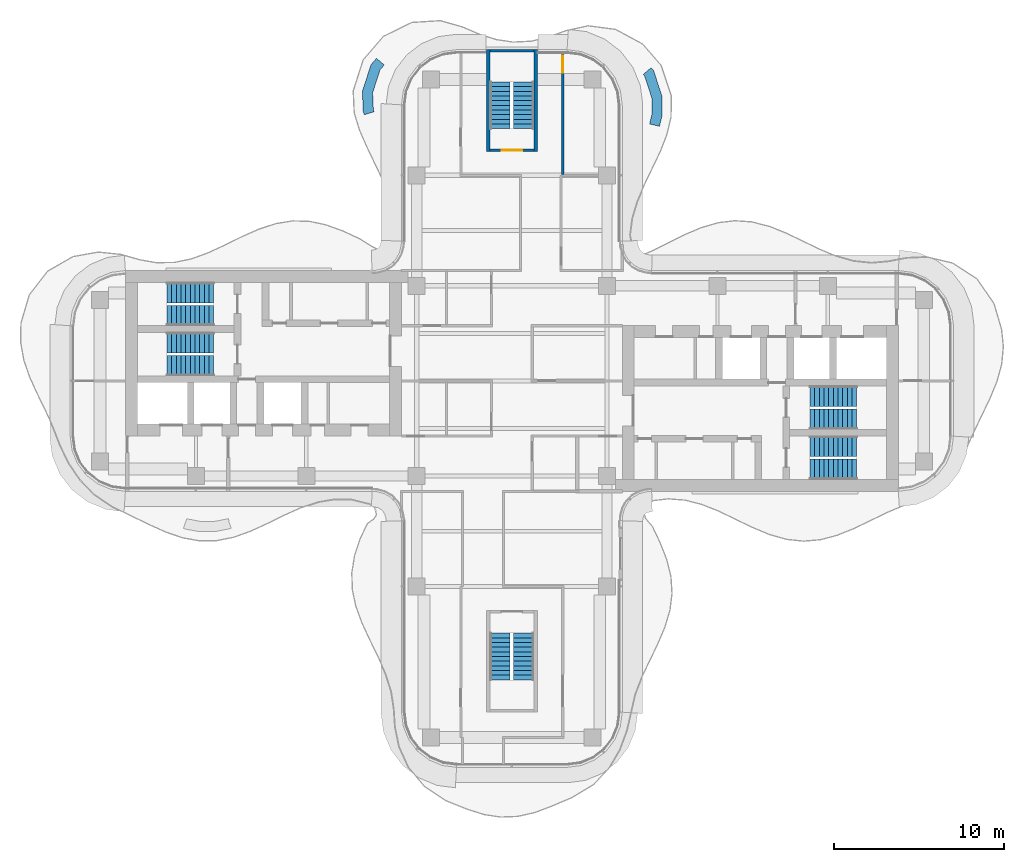
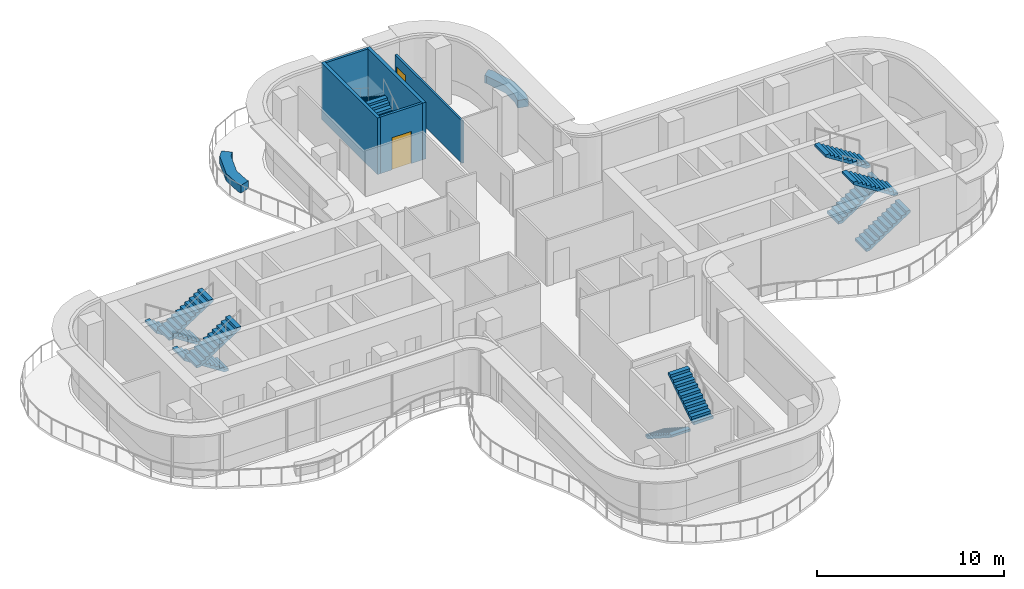
# One storey, part 14 of 16: 12 stair flights, 7 walls, 2 doors, 2 openings, 6 elements without a shape of their own.
"""IFC4 building model written with IfcOpenShell, lengths in metres."""

import ifcopenshell
import ifcopenshell.guid

model = None  # the IFC model being written
_history = None  # IfcOwnerHistory: only IFC2X3 demands one
_inside = {}  # id of a spatial element -> (the spatial element, [elements in it])
_under = {}  # id of a project, library or spatial element -> (it, [spatial elements below it])
_declared = {}  # id of a project -> (the project, [libraries it declares])
_typed = {}  # id of a type object -> (the type object, [elements of that type])
_made_of = {}  # id of a material, layer set ... -> (it, [elements and type objects made of it])


def new_model(schema):
    """Start an empty IFC model of exactly this schema.

    Asked for "IFC4X3", IfcOpenShell would pick the latest addendum, in which some entities
    have other attributes; the version numbers below select the first issue.
    IFC2X3 requires an IfcOwnerHistory on every rooted entity: one is made here for all.
    """
    global model, _history
    if schema == "IFC4X3":
        model = ifcopenshell.file(schema_version=(4, 3, 0, 0))
    else:
        model = ifcopenshell.file(schema=schema)
    _inside.clear()
    _under.clear()
    _declared.clear()
    _typed.clear()
    _made_of.clear()
    _history = None
    if model.schema == "IFC2X3":
        org = make("IfcOrganization", Name="unknown")
        user = make(
            "IfcPersonAndOrganization",
            ThePerson=make("IfcPerson", FamilyName="unknown"),
            TheOrganization=org,
        )
        app = make(
            "IfcApplication",
            ApplicationDeveloper=org,
            Version="unknown",
            ApplicationFullName="unknown",
            ApplicationIdentifier="unknown",
        )
        _history = make(
            "IfcOwnerHistory",
            OwningUser=user,
            OwningApplication=app,
            ChangeAction="ADDED",
            CreationDate=0,
        )
    return model


def make(cls, **values):
    """One entity of the class cls with the attributes given. An attribute that is None is left unset."""
    return model.create_entity(
        cls, **{name: value for name, value in values.items() if value is not None}
    )


def rooted(cls, **values):
    """An entity with a GlobalId (a new one), such as an element, a storey or a relation."""
    return make(cls, GlobalId=ifcopenshell.guid.new(), OwnerHistory=_history, **values)


def si_unit(unit_type, name, prefix=None):
    """IfcSIUnit, for example si_unit("LENGTHUNIT", "METRE", prefix="MILLI")."""
    return make("IfcSIUnit", UnitType=unit_type, Prefix=prefix, Name=name)


def assignment(units):
    """IfcUnitAssignment: the units of a project."""
    return None if units is None else make("IfcUnitAssignment", Units=units)


def point(xyz):
    """IfcCartesianPoint."""
    return None if xyz is None else make("IfcCartesianPoint", Coordinates=xyz)


def direction(xyz):
    """IfcDirection."""
    return None if xyz is None else make("IfcDirection", DirectionRatios=xyz)


def frame(location, z_axis=None, x_axis=None):
    """IfcAxis2Placement3D, a coordinate frame: its origin and axes. An axis left out is left unset."""
    return make(
        "IfcAxis2Placement3D",
        Location=point(location),
        Axis=direction(z_axis),
        RefDirection=direction(x_axis),
    )


def frame_2d(location, x_axis=None):
    """IfcAxis2Placement2D, a coordinate frame in the plane: its origin and x axis."""
    return make(
        "IfcAxis2Placement2D", Location=point(location), RefDirection=direction(x_axis)
    )


def origin():
    """The frame at (0, 0, 0) with its axes left unset."""
    return frame((0.0, 0.0, 0.0))


def place(relative_to, where):
    """IfcLocalPlacement: puts the frame where relative to a parent placement (None: the world)."""
    return make(
        "IfcLocalPlacement", PlacementRelTo=relative_to, RelativePlacement=where
    )


def context(
    kind, dimensions, precision=None, world=None, true_north=None, identifier=None
):
    """IfcGeometricRepresentationContext, for example the 3D "Model" context."""
    return make(
        "IfcGeometricRepresentationContext",
        ContextIdentifier=identifier,
        ContextType=kind,
        CoordinateSpaceDimension=dimensions,
        Precision=precision,
        WorldCoordinateSystem=world,
        TrueNorth=true_north,
    )


def subcontext(parent, identifier, kind, view, scale=None):
    """IfcGeometricRepresentationSubContext, for example "Body" below "Model"."""
    return make(
        "IfcGeometricRepresentationSubContext",
        ContextIdentifier=identifier,
        ContextType=kind,
        ParentContext=parent,
        TargetScale=scale,
        TargetView=view,
    )


def project(units=None, contexts=None):
    """IfcProject with its units and contexts."""
    return rooted(
        "IfcProject",
        Name="project",
        RepresentationContexts=contexts,
        UnitsInContext=assignment(units),
    )


def spatial(cls, under=None, at=None, **own):
    """A site, building, storey or space (cls), placed at a placement, below another one or the project."""
    s = rooted(cls, ObjectPlacement=at, **own)
    if under is not None:
        _under.setdefault(under.id(), (under, []))[1].append(s)
    return s


def polyline(points):
    """IfcPolyline through the points."""
    return make("IfcPolyline", Points=[point(p) for p in points])


def profile(cls, at=None, kind="AREA", **sizes):
    """A parametric profile (cls). Its sizes go by their IFC names, for example OverallWidth=200.0."""
    return make(cls, ProfileType=kind, Position=at, **sizes)


def rectangle(**sizes):
    """IfcRectangleProfileDef."""
    return profile("IfcRectangleProfileDef", **sizes)


def outline(outer, holes=None, kind="AREA"):
    """IfcArbitraryClosedProfileDef: a profile drawn as a closed curve; with holes, ...WithVoids."""
    if holes is None:
        return make("IfcArbitraryClosedProfileDef", ProfileType=kind, OuterCurve=outer)
    return make(
        "IfcArbitraryProfileDefWithVoids",
        ProfileType=kind,
        OuterCurve=outer,
        InnerCurves=holes,
    )


def extrude(swept, where, along, depth):
    """IfcExtrudedAreaSolid: the profile swept, set in the frame where, extruded along a direction by depth."""
    return make(
        "IfcExtrudedAreaSolid",
        SweptArea=swept,
        Position=where,
        ExtrudedDirection=direction(along),
        Depth=depth,
    )


def shape(context_of_items, identifier, shape_type, items):
    """IfcShapeRepresentation: the items that make up one representation, for example the "Body"."""
    return make(
        "IfcShapeRepresentation",
        ContextOfItems=context_of_items,
        RepresentationIdentifier=identifier,
        RepresentationType=shape_type,
        Items=items,
    )


def source(mapping_origin, context_of_items, identifier, shape_type, items):
    """IfcRepresentationMap: a shape defined once, which mapped items show again and again."""
    return make(
        "IfcRepresentationMap",
        MappingOrigin=mapping_origin,
        MappedRepresentation=shape(context_of_items, identifier, shape_type, items),
    )


def transform(
    local_origin,
    x_axis=None,
    y_axis=None,
    z_axis=None,
    scale=None,
    scale2=None,
    scale3=None,
    uniform=True,
):
    """IfcCartesianTransformationOperator3D, or its non-uniform kind. x_axis, y_axis, z_axis: its Axis1, 2, 3."""
    if uniform:
        return make(
            "IfcCartesianTransformationOperator3D",
            Axis1=direction(x_axis),
            Axis2=direction(y_axis),
            LocalOrigin=point(local_origin),
            Scale=scale,
            Axis3=direction(z_axis),
        )
    return make(
        "IfcCartesianTransformationOperator3DnonUniform",
        Axis1=direction(x_axis),
        Axis2=direction(y_axis),
        LocalOrigin=point(local_origin),
        Scale=scale,
        Axis3=direction(z_axis),
        Scale2=scale2,
        Scale3=scale3,
    )


def mapped(mapping_source, mapping_target):
    """IfcMappedItem: shows the shape of a source again, moved by a transform."""
    return make(
        "IfcMappedItem", MappingSource=mapping_source, MappingTarget=mapping_target
    )


def material(Name=None, Category=None):
    """IfcMaterial."""
    return make("IfcMaterial", Name=Name, Category=Category)


def layer(
    of_material, thickness, ventilated=None, Name=None, Category=None, Priority=None
):
    """IfcMaterialLayer: one layer of a wall or slab, of a material (None: an air gap)."""
    return make(
        "IfcMaterialLayer",
        Material=of_material,
        LayerThickness=thickness,
        IsVentilated=ventilated,
        Name=Name,
        Category=Category,
        Priority=Priority,
    )


def layer_set(layers, Name=None):
    """IfcMaterialLayerSet."""
    return make("IfcMaterialLayerSet", MaterialLayers=layers, LayerSetName=Name)


def made_of(thing, what):
    """Note that an element or type object is made of a material, layer set ...; save() writes the relation."""
    if what is not None:
        _made_of.setdefault(what.id(), (what, []))[1].append(thing)
    return thing


def type_object(cls, material=None, **own):
    """A type object (cls), such as IfcWallType, which elements share."""
    return made_of(rooted(cls, **own), material)


def element(
    cls,
    number,
    at=None,
    inside=None,
    cuts=None,
    type_object=None,
    material=None,
    context=None,
    identifier="Body",
    shape_type=None,
    held_by="IfcProductDefinitionShape",
    body=None,
    shapes=None,
    **own,
):
    """One element of the class cls, such as IfcWall. Its Tag is "e" and its number.

    at: its placement. inside: the storey or other place that contains it. cuts: it is an
    opening in that element (IfcRelVoidsElement). A single representation is given by context,
    identifier, shape_type and body (its items); several are given by shapes. held_by: the class
    of the entity that holds the representations. save() writes the other relations.
    """
    e = rooted(cls, Tag="e%d" % number, ObjectPlacement=at, **own)
    if body is not None:
        shapes = [shape(context, identifier, shape_type, body)]
    if shapes is not None:
        e.Representation = make(held_by, Representations=shapes)
    if inside is not None:
        _inside.setdefault(inside.id(), (inside, []))[1].append(e)
    if cuts is not None:
        rooted(
            "IfcRelVoidsElement", RelatingBuildingElement=cuts, RelatedOpeningElement=e
        )
    if type_object is not None:
        _typed.setdefault(type_object.id(), (type_object, []))[1].append(e)
    return made_of(e, material)


def fill(opening, filler):
    """IfcRelFillsElement: the door or window that sits in an opening."""
    return rooted(
        "IfcRelFillsElement",
        RelatingOpeningElement=opening,
        RelatedBuildingElement=filler,
    )


def aggregate(whole, parts):
    """IfcRelAggregates: a whole, such as a stair, and the parts it consists of."""
    return rooted("IfcRelAggregates", RelatingObject=whole, RelatedObjects=parts)


def save(model, path):
    """Write the relations noted so far, then the file.

    IfcRelAggregates (storeys below a building ...), IfcRelContainedInSpatialStructure (elements
    in a storey), IfcRelDefinesByType, IfcRelAssociatesMaterial and IfcRelDeclares: one each for
    every whole, place, type object, material and project.
    """
    for whole, parts in _under.values():
        aggregate(whole, parts)
    for where, things in _inside.values():
        rooted(
            "IfcRelContainedInSpatialStructure",
            RelatedElements=things,
            RelatingStructure=where,
        )
    for kind, things in _typed.values():
        rooted("IfcRelDefinesByType", RelatedObjects=things, RelatingType=kind)
    for what, things in _made_of.values():
        rooted("IfcRelAssociatesMaterial", RelatedObjects=things, RelatingMaterial=what)
    for by, libraries in _declared.values():
        rooted("IfcRelDeclares", RelatingContext=by, RelatedDefinitions=libraries)
    model.write(path)


model = new_model("IFC4")

# Units and contexts
model_context = context("Model", 3, precision=1e-05, world=origin(), true_north=direction((0.0, 1.0)))
body_context = subcontext(model_context, "Body", "Model", "MODEL_VIEW")
ifc_project = project(units=[si_unit("LENGTHUNIT", "METRE"), si_unit("AREAUNIT", "SQUARE_METRE"), si_unit("VOLUMEUNIT", "CUBIC_METRE"), si_unit("PLANEANGLEUNIT", "RADIAN"), si_unit("MASSUNIT", "GRAM", prefix="KILO")], contexts=[model_context])

# Site, building, storey
site_placement = place(None, origin())
site = spatial("IfcSite", under=ifc_project, at=site_placement, CompositionType="ELEMENT")
building_placement = place(site_placement, origin())
building = spatial("IfcBuilding", under=site, at=building_placement, Name="Trellis Farm Tower", CompositionType="ELEMENT")
storey_placement = place(building_placement, frame((0.0, 0.0, 314.5)))
storey = spatial("IfcBuildingStorey", under=building, at=storey_placement, Name="L71", CompositionType="ELEMENT", Elevation=314.5)

# Walls
ifc_material_1 = material(Name="Sandstone faced masonry planter", Category="masonry")
ifc_layer_1 = layer(ifc_material_1, 0.60009765625)
ifc_layer_set_1 = layer_set([ifc_layer_1], Name="PLANTER BED 600")
wall_type_1 = type_object("IfcWallType", Name="PLANTER BED 600", PredefinedType="USERDEFINED", material=ifc_layer_set_1)
placement = place(storey_placement, origin())
element("IfcWall", 1, at=placement, inside=storey, type_object=wall_type_1, Name="PLANTER bed", ObjectType="PLANTER", PredefinedType="USERDEFINED", context=body_context, shape_type="SweptSolid", body=[
    extrude(outline(polyline([(8.3466796875, 18.26318359375), (8.841552734375, 16.740966796875), (8.83740234375, 15.59326171875), (8.691650390625, 14.98583984375), (8.1083984375, 15.125732421875), (8.237548828125, 15.665283203125), (8.2412109375, 16.64697265625), (7.81298828125, 17.9638671875), (7.740478515625, 18.048583984375), (8.1962890625, 18.43896484375), (8.3466796875, 18.26318359375)])), origin(), (0.0, 0.0, 1.0), 0.5),
])
element("IfcWall", 2, at=placement, inside=storey, type_object=wall_type_1, Name="PLANTER bed", ObjectType="PLANTER", PredefinedType="USERDEFINED", context=body_context, shape_type="SweptSolid", body=[
    extrude(outline(polyline([(-8.79931640625, 17.04443359375), (-8.29150390625, 18.616455078125), (-7.96728515625, 18.990234375), (-7.513916015625, 18.597412109375), (-7.758056640625, 18.315673828125), (-8.195068359375, 16.962890625), (-8.1513671875, 15.966796875), (-8.11376953125, 15.84619140625), (-8.686279296875, 15.6669921875), (-8.747314453125, 15.8623046875), (-8.79931640625, 17.04443359375)])), origin(), (0.0, 0.0, 1.0), 0.5),
])
ifc_material_2 = material(Name="Concrete C50/60", Category="concrete")
ifc_layer_2 = layer(ifc_material_2, 0.199951171875)
ifc_layer_set_2 = layer_set([ifc_layer_2], Name="CORE STAIR ENCLOSURE WALL 200 CONCRETE C50/60")
wall_type_2 = type_object("IfcWallType", Name="CORE STAIR ENCLOSURE WALL 200 CONCRETE C50/60", PredefinedType="SHEAR", material=ifc_layer_set_2)
shared_shape_1 = source(origin(), body_context, "Body", "SweptSolid", [
    extrude(rectangle(XDim=6.0, YDim=0.199951171875, at=frame_2d((3.0, 0.0))), origin(), (0.0, 0.0, 1.0), 3.699951171875),
])
for number, where, z_axis, x_axis, name in (
    (3, (-1.39990234375, 13.5, 0.0), (0.0, 0.0, 1.0), (0.0, 1.0, 0.0), "Stair enclosure wall"),
    (4, (1.39990234375, 13.5, 0.0), (0.0, 0.0, 1.0), (0.0, 1.0, 0.0), "Stair enclosure wall"),
):
    element("IfcWall", number, at=place(storey_placement, frame(where, z_axis=z_axis, x_axis=x_axis)), inside=storey, type_object=wall_type_2, Name=name, PredefinedType="SHEAR", context=body_context, shape_type="MappedRepresentation", body=[
        mapped(shared_shape_1, transform((0.0, 0.0, 0.0))),
    ])

# Wall, opening, door
ifc_layer_3 = layer(ifc_material_2, 0.14990234375)
ifc_layer_set_3 = layer_set([ifc_layer_3], Name="CORE STAIR ENCLOSURE WALL 150 CONCRETE C50/60")
wall_type_3 = type_object("IfcWallType", Name="CORE STAIR ENCLOSURE WALL 150 CONCRETE C50/60", PredefinedType="SHEAR", material=ifc_layer_set_3)
shared_shape_2 = source(origin(), body_context, "Body", "SweptSolid", [
    extrude(rectangle(XDim=2.60009765625, YDim=0.14990234375, at=frame_2d((1.300048828125, 0.0))), origin(), (0.0, 0.0, 1.0), 3.699951171875),
])
wall_3_placement = place(storey_placement, frame((-1.300048828125, 13.574951171875, 0.0), z_axis=(0.0, 0.0, 1.0), x_axis=(1.0, 0.0, 0.0)))
wall_3 = element("IfcWall", 5, at=wall_3_placement, inside=storey, type_object=wall_type_3, Name="Stair enclosure wall", PredefinedType="SHEAR", context=body_context, shape_type="MappedRepresentation", body=[
    mapped(shared_shape_2, transform((0.0, 0.0, 0.0))),
])
shared_shape_3 = source(origin(), body_context, "Body", "SweptSolid", [
    extrude(rectangle(XDim=1.199951171875, YDim=2.10009765625, at=frame_2d((0.60009765625, 1.050048828125))), frame((0.0, 0.0849609375, 0.0), z_axis=(0.0, -1.0, 0.0), x_axis=(1.0, 0.0, 0.0)), (0.0, 0.0, 1.0), 0.169921875),
])
opening_1_placement = place(wall_3_placement, frame((0.699951171875, 0.0, 0.0)))
opening_1 = element("IfcOpeningElement", 6, at=opening_1_placement, cuts=wall_3, Name="Opening DC173", PredefinedType="OPENING", context=body_context, shape_type="MappedRepresentation", body=[
    mapped(shared_shape_3, transform((0.0, 0.0, 0.0))),
])
ifc_material_3 = material(Name="Steel", Category="steel")
door_type_1 = type_object("IfcDoorType", Name="CORE FIRE DOOR 1200 X 2100", OperationType="NOTDEFINED", PredefinedType="DOOR", material=ifc_material_3)
shared_shape_4 = source(origin(), body_context, "Body", "SweptSolid", [
    extrude(rectangle(XDim=1.199951171875, YDim=2.10009765625, at=frame_2d((0.60009765625, 1.050048828125))), frame((0.0, 0.02490234375, 0.0), z_axis=(0.0, -1.0, 0.0), x_axis=(1.0, 0.0, 0.0)), (0.0, 0.0, 1.0), 0.050048828125),
])
door_1_placement = place(opening_1_placement, origin())
door_1 = element("IfcDoor", 7, at=door_1_placement, inside=storey, type_object=door_type_1, Name="Core door", OperationType="SINGLE_SWING_LEFT", OverallHeight=2.10009765625, OverallWidth=1.199951171875, PredefinedType="DOOR", context=body_context, shape_type="MappedRepresentation", body=[
    mapped(shared_shape_4, transform((0.0, 0.0, 0.0))),
])
fill(opening_1, door_1)

# Wall
wall_4_placement = place(storey_placement, frame((-1.300048828125, 19.425048828125, 0.0), z_axis=(0.0, 0.0, 1.0), x_axis=(1.0, 0.0, 0.0)))
element("IfcWall", 8, at=wall_4_placement, inside=storey, type_object=wall_type_3, Name="Stair enclosure wall", PredefinedType="SHEAR", context=body_context, shape_type="MappedRepresentation", body=[
    mapped(shared_shape_2, transform((0.0, 0.0, 0.0))),
])

# Wall, opening, door
ifc_material_4 = material(Name="Plasterboard on steel studs, mineral wool", Category="steel")
ifc_layer_4 = layer(ifc_material_4, 0.125)
ifc_layer_set_4 = layer_set([ifc_layer_4], Name="PARTITION 125 STUD EI 60")
wall_type_4 = type_object("IfcWallType", Name="PARTITION 125 STUD EI 60", PredefinedType="PARTITIONING", material=ifc_layer_set_4)
shared_shape_5 = source(origin(), body_context, "Body", "SweptSolid", [
    extrude(rectangle(XDim=7.150146484375, YDim=0.125, at=frame_2d((3.5751953125, 0.0))), origin(), (0.0, 0.0, 1.0), 2.780029296875),
])
wall_5_placement = place(storey_placement, frame((3.0, 19.300048828125, 0.0), z_axis=(0.0, 0.0, 1.0), x_axis=(0.0, -1.0, 0.0)))
wall_5 = element("IfcWall", 9, at=wall_5_placement, inside=storey, type_object=wall_type_4, Name="Partition PW1", PredefinedType="PARTITIONING", context=body_context, shape_type="MappedRepresentation", body=[
    mapped(shared_shape_5, transform((0.0, 0.0, 0.0))),
])
shared_shape_6 = source(origin(), body_context, "Body", "SweptSolid", [
    extrude(rectangle(XDim=1.0, YDim=2.10009765625, at=frame_2d((0.5, 1.050048828125))), frame((0.0, 0.072509765625, 0.0), z_axis=(0.0, -1.0, 0.0), x_axis=(1.0, 0.0, 0.0)), (0.0, 0.0, 1.0), 0.14501953125),
])
opening_2_placement = place(wall_5_placement, frame((0.14990234375, 0.0, 0.0)))
opening_2 = element("IfcOpeningElement", 10, at=opening_2_placement, cuts=wall_5, Name="Opening D111", PredefinedType="OPENING", context=body_context, shape_type="MappedRepresentation", body=[
    mapped(shared_shape_6, transform((0.0, 0.0, 0.0))),
])
ifc_material_5 = material(Name="Fire-rated timber door leaf in a hollow metal frame", Category="wood")
door_type_2 = type_object("IfcDoorType", Name="DOOR 1000x2100 FD30S", OperationType="NOTDEFINED", PredefinedType="DOOR", material=ifc_material_5)
shared_shape_7 = source(origin(), body_context, "Body", "SweptSolid", [
    extrude(rectangle(XDim=1.0, YDim=2.10009765625, at=frame_2d((0.5, 1.050048828125))), frame((0.0, 0.02490234375, 0.0), z_axis=(0.0, -1.0, 0.0), x_axis=(1.0, 0.0, 0.0)), (0.0, 0.0, 1.0), 0.050048828125),
])
door_2_placement = place(opening_2_placement, origin())
door_2 = element("IfcDoor", 11, at=door_2_placement, inside=storey, type_object=door_type_2, Name="Door D111", OperationType="SINGLE_SWING_LEFT", OverallHeight=2.10009765625, OverallWidth=1.0, PredefinedType="DOOR", context=body_context, shape_type="MappedRepresentation", body=[
    mapped(shared_shape_7, transform((0.0, 0.0, 0.0))),
])
fill(opening_2, door_2)

# Stair, stair flights
stair_type = type_object("IfcStairType", Name="CORE EXIT STAIR 22 RISERS 177 MM", PredefinedType="HALF_TURN_STAIR", material=ifc_material_2)
stair_1 = element("IfcStair", 12, at=placement, inside=storey, type_object=stair_type, Name="Exit stair N", PredefinedType="HALF_TURN_STAIR")
stair_flight_type = type_object("IfcStairFlightType", Name="STAIR FLIGHT 11 RISERS 177 MM", PredefinedType="STRAIGHT", material=ifc_material_2)
shared_shape_8 = source(origin(), body_context, "Body", "SweptSolid", [
    extrude(outline(polyline([(0.0, 0.0), (0.0, 0.17724609375), (0.27490234375, 0.17724609375), (0.27490234375, 0.3544921875), (0.550048828125, 0.3544921875), (0.550048828125, 0.53173828125), (0.824951171875, 0.53173828125), (0.824951171875, 0.708984375), (1.10009765625, 0.708984375), (1.10009765625, 0.886474609375), (1.375, 0.886474609375), (1.375, 1.063720703125), (1.64990234375, 1.063720703125), (1.64990234375, 1.240966796875), (1.925048828125, 1.240966796875), (1.925048828125, 1.418212890625), (2.199951171875, 1.418212890625), (2.199951171875, 1.595458984375), (2.47509765625, 1.595458984375), (2.47509765625, 1.772705078125), (2.75, 1.772705078125), (2.75, 1.949951171875), (2.75, 1.6181640625), (0.23974609375, 0.0), (0.0, 0.0)])), frame((0.0, 0.60009765625, 0.0), z_axis=(0.0, -1.0, 0.0), x_axis=(1.0, 0.0, 0.0)), (0.0, 0.0, 1.0), 1.199951171875),
])
stair_flight_1_placement = place(storey_placement, frame((0.699951171875, 14.85009765625, 0.0), z_axis=(0.0, 0.0, 1.0), x_axis=(0.0, 1.0, 0.0)))
stair_flight_1 = element("IfcStairFlight", 13, at=stair_flight_1_placement, type_object=stair_flight_type, Name="STN flight 1", NumberOfRisers=11, NumberOfTreads=10, PredefinedType="STRAIGHT", RiserHeight=0.177272727, TreadLength=0.275, context=body_context, shape_type="MappedRepresentation", body=[
    mapped(shared_shape_8, transform((0.0, 0.0, 0.0))),
])
stair_flight_2_placement = place(storey_placement, frame((-0.699951171875, 17.60009765625, 1.949951171875), z_axis=(0.0, 0.0, 1.0), x_axis=(0.0, -1.0, 0.0)))
stair_flight_2 = element("IfcStairFlight", 14, at=stair_flight_2_placement, type_object=stair_flight_type, Name="STN flight 2", NumberOfRisers=11, NumberOfTreads=10, PredefinedType="STRAIGHT", RiserHeight=0.177272727, TreadLength=0.275, context=body_context, shape_type="MappedRepresentation", body=[
    mapped(shared_shape_8, transform((0.0, 0.0, 0.0))),
])
aggregate(stair_1, [stair_flight_1, stair_flight_2])

stair_2 = element("IfcStair", 15, at=placement, inside=storey, type_object=stair_type, Name="Exit stair S", PredefinedType="HALF_TURN_STAIR")
stair_flight_3_placement = place(storey_placement, frame((-0.699951171875, -14.85009765625, 0.0), z_axis=(0.0, 0.0, 1.0), x_axis=(0.0, -1.0, 0.0)))
stair_flight_3 = element("IfcStairFlight", 16, at=stair_flight_3_placement, type_object=stair_flight_type, Name="STS flight 1", NumberOfRisers=11, NumberOfTreads=10, PredefinedType="STRAIGHT", RiserHeight=0.177272727, TreadLength=0.275, context=body_context, shape_type="MappedRepresentation", body=[
    mapped(shared_shape_8, transform((0.0, 0.0, 0.0))),
])
stair_flight_4_placement = place(storey_placement, frame((0.699951171875, -17.60009765625, 1.949951171875), z_axis=(0.0, 0.0, 1.0), x_axis=(0.0, 1.0, 0.0)))
stair_flight_4 = element("IfcStairFlight", 17, at=stair_flight_4_placement, type_object=stair_flight_type, Name="STS flight 2", NumberOfRisers=11, NumberOfTreads=10, PredefinedType="STRAIGHT", RiserHeight=0.177272727, TreadLength=0.275, context=body_context, shape_type="MappedRepresentation", body=[
    mapped(shared_shape_8, transform((0.0, 0.0, 0.0))),
])
aggregate(stair_2, [stair_flight_3, stair_flight_4])

stair_3 = element("IfcStair", 18, at=placement, inside=storey, type_object=stair_type, Name="Exit stair E1", PredefinedType="HALF_TURN_STAIR")
stair_flight_5_placement = place(storey_placement, frame((17.550048828125, -5.199951171875, 0.0), z_axis=(0.0, 0.0, 1.0), x_axis=(1.0, 0.0, 0.0)))
stair_flight_5 = element("IfcStairFlight", 19, at=stair_flight_5_placement, type_object=stair_flight_type, Name="STE1 flight 1", NumberOfRisers=11, NumberOfTreads=10, PredefinedType="STRAIGHT", RiserHeight=0.177272727, TreadLength=0.275, context=body_context, shape_type="MappedRepresentation", body=[
    mapped(shared_shape_8, transform((0.0, 0.0, 0.0))),
])
stair_flight_6_placement = place(storey_placement, frame((20.300048828125, -3.85009765625, 1.949951171875), z_axis=(0.0, 0.0, 1.0), x_axis=(-1.0, 0.0, 0.0)))
stair_flight_6 = element("IfcStairFlight", 20, at=stair_flight_6_placement, type_object=stair_flight_type, Name="STE1 flight 2", NumberOfRisers=11, NumberOfTreads=10, PredefinedType="STRAIGHT", RiserHeight=0.177272727, TreadLength=0.275, context=body_context, shape_type="MappedRepresentation", body=[
    mapped(shared_shape_8, transform((0.0, 0.0, 0.0))),
])
aggregate(stair_3, [stair_flight_5, stair_flight_6])

stair_4 = element("IfcStair", 21, at=placement, inside=storey, type_object=stair_type, Name="Exit stair E2", PredefinedType="HALF_TURN_STAIR")
stair_flight_7_placement = place(storey_placement, frame((17.550048828125, -2.25, 0.0), z_axis=(0.0, 0.0, 1.0), x_axis=(1.0, 0.0, 0.0)))
stair_flight_7 = element("IfcStairFlight", 22, at=stair_flight_7_placement, type_object=stair_flight_type, Name="STE2 flight 1", NumberOfRisers=11, NumberOfTreads=10, PredefinedType="STRAIGHT", RiserHeight=0.177272727, TreadLength=0.275, context=body_context, shape_type="MappedRepresentation", body=[
    mapped(shared_shape_8, transform((0.0, 0.0, 0.0))),
])
stair_flight_8_placement = place(storey_placement, frame((20.300048828125, -0.89990234375, 1.949951171875), z_axis=(0.0, 0.0, 1.0), x_axis=(-1.0, 0.0, 0.0)))
stair_flight_8 = element("IfcStairFlight", 23, at=stair_flight_8_placement, type_object=stair_flight_type, Name="STE2 flight 2", NumberOfRisers=11, NumberOfTreads=10, PredefinedType="STRAIGHT", RiserHeight=0.177272727, TreadLength=0.275, context=body_context, shape_type="MappedRepresentation", body=[
    mapped(shared_shape_8, transform((0.0, 0.0, 0.0))),
])
aggregate(stair_4, [stair_flight_7, stair_flight_8])

stair_5 = element("IfcStair", 24, at=placement, inside=storey, type_object=stair_type, Name="Exit stair W1", PredefinedType="HALF_TURN_STAIR")
stair_flight_9_placement = place(storey_placement, frame((-17.550048828125, 5.199951171875, 0.0), z_axis=(0.0, 0.0, 1.0), x_axis=(-1.0, 0.0, 0.0)))
stair_flight_9 = element("IfcStairFlight", 25, at=stair_flight_9_placement, type_object=stair_flight_type, Name="STW1 flight 1", NumberOfRisers=11, NumberOfTreads=10, PredefinedType="STRAIGHT", RiserHeight=0.177272727, TreadLength=0.275, context=body_context, shape_type="MappedRepresentation", body=[
    mapped(shared_shape_8, transform((0.0, 0.0, 0.0))),
])
stair_flight_10_placement = place(storey_placement, frame((-20.300048828125, 3.85009765625, 1.949951171875), z_axis=(0.0, 0.0, 1.0), x_axis=(1.0, 0.0, 0.0)))
stair_flight_10 = element("IfcStairFlight", 26, at=stair_flight_10_placement, type_object=stair_flight_type, Name="STW1 flight 2", NumberOfRisers=11, NumberOfTreads=10, PredefinedType="STRAIGHT", RiserHeight=0.177272727, TreadLength=0.275, context=body_context, shape_type="MappedRepresentation", body=[
    mapped(shared_shape_8, transform((0.0, 0.0, 0.0))),
])
aggregate(stair_5, [stair_flight_9, stair_flight_10])

stair_6 = element("IfcStair", 27, at=placement, inside=storey, type_object=stair_type, Name="Exit stair W2", PredefinedType="HALF_TURN_STAIR")
stair_flight_11_placement = place(storey_placement, frame((-17.550048828125, 2.25, 0.0), z_axis=(0.0, 0.0, 1.0), x_axis=(-1.0, 0.0, 0.0)))
stair_flight_11 = element("IfcStairFlight", 28, at=stair_flight_11_placement, type_object=stair_flight_type, Name="STW2 flight 1", NumberOfRisers=11, NumberOfTreads=10, PredefinedType="STRAIGHT", RiserHeight=0.177272727, TreadLength=0.275, context=body_context, shape_type="MappedRepresentation", body=[
    mapped(shared_shape_8, transform((0.0, 0.0, 0.0))),
])
stair_flight_12_placement = place(storey_placement, frame((-20.300048828125, 0.89990234375, 1.949951171875), z_axis=(0.0, 0.0, 1.0), x_axis=(1.0, 0.0, 0.0)))
stair_flight_12 = element("IfcStairFlight", 29, at=stair_flight_12_placement, type_object=stair_flight_type, Name="STW2 flight 2", NumberOfRisers=11, NumberOfTreads=10, PredefinedType="STRAIGHT", RiserHeight=0.177272727, TreadLength=0.275, context=body_context, shape_type="MappedRepresentation", body=[
    mapped(shared_shape_8, transform((0.0, 0.0, 0.0))),
])
aggregate(stair_6, [stair_flight_11, stair_flight_12])

save(model, "model.ifc")
